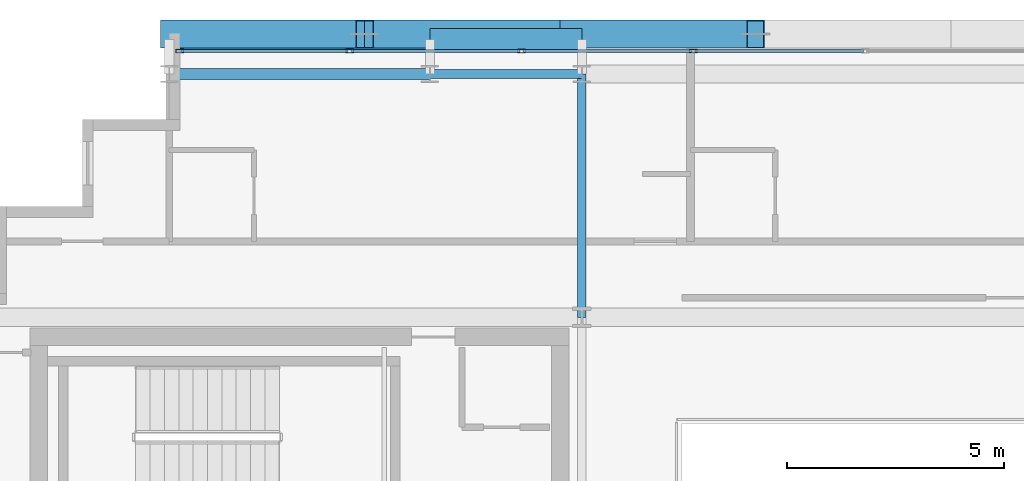
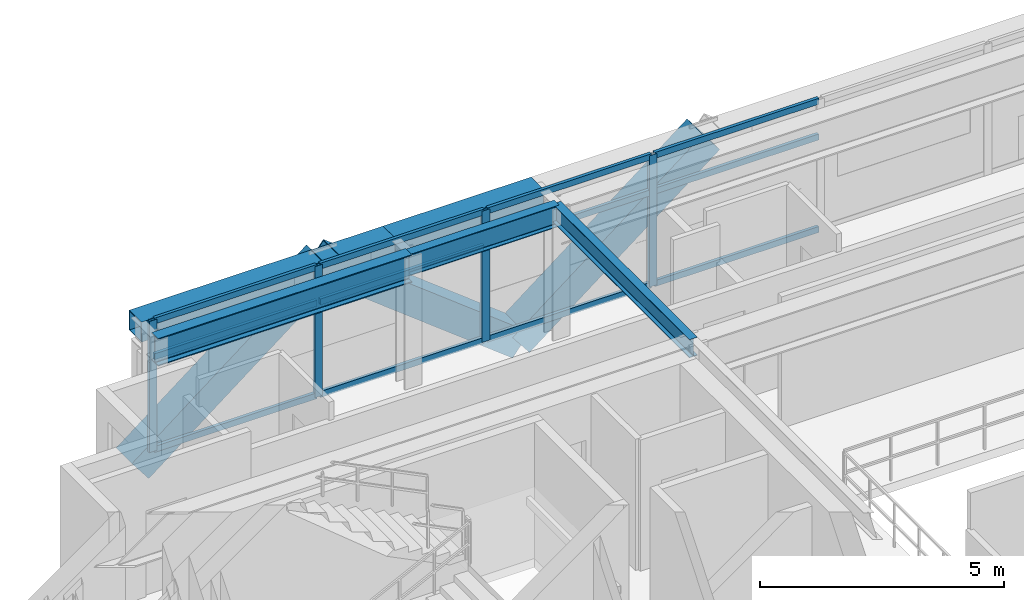
# One storey, part 14 of 28: 19 members, 5 beams, 1 element without a shape of its own.
"""IFC4 building model written with IfcOpenShell, lengths in metres."""

from ifc_helpers import new_model, si_unit, direction, frame, origin, origin_2d, place, context, subcontext, project, spatial, hollow_rectangle, i_section, extrude, source, transform, mapped, material, layer, layer_set, material_profile, profile_set, type_object, element, aggregate, save


model = new_model("IFC4")

# Units and contexts
model_context = context("Model", 3, precision=1e-05, world=origin(), true_north=direction((0.0, 1.0)))
body_context = subcontext(model_context, "Body", "Model", "MODEL_VIEW")
ifc_project = project(units=[si_unit("LENGTHUNIT", "METRE"), si_unit("AREAUNIT", "SQUARE_METRE"), si_unit("VOLUMEUNIT", "CUBIC_METRE"), si_unit("PLANEANGLEUNIT", "RADIAN"), si_unit("MASSUNIT", "GRAM", prefix="KILO")], contexts=[model_context])

# Site, building, storey
site_placement = place(None, origin())
site = spatial("IfcSite", under=ifc_project, at=site_placement, CompositionType="ELEMENT")
building_placement = place(site_placement, origin())
building = spatial("IfcBuilding", under=site, at=building_placement, Name="Ocotamira Hotel", CompositionType="ELEMENT")
storey_placement = place(building_placement, frame((0.0, 0.0, 243.60009765625)))
storey = spatial("IfcBuildingStorey", under=building, at=storey_placement, Name="L61", CompositionType="ELEMENT", Elevation=243.60009765625)

# Beams
ifc_material_1 = material(Name="Steel ASTM A992 Grade 50", Category="steel")
ifc_material_profile_1 = material_profile(ifc_material_1, i_section(OverallWidth=0.256103515625, OverallDepth=0.693115234375, WebThickness=0.014404296875, FlangeThickness=0.023681640625, FilletRadius=0.01611328125, at=origin_2d()), Name="W27X114")
ifc_profile_set_1 = profile_set([ifc_material_profile_1], Name="Steel ASTM A992 Grade 50")
beam_type_1 = type_object("IfcBeamType", Name="BM-PRIM-W27X114", PredefinedType="BEAM", material=ifc_profile_set_1)
shared_shape_1 = source(origin(), body_context, "Body", "SweptSolid", [
    extrude(i_section(OverallWidth=0.256103515625, OverallDepth=0.693115234375, WebThickness=0.014404296875, FlangeThickness=0.023681640625, FilletRadius=0.01611328125, at=origin_2d()), origin(), (0.0, 0.0, 1.0), 6.0),
])
beam_1_placement = place(storey_placement, frame((14.0, 43.050048828125, 2.933349609375), z_axis=(1.0, 0.0, 0.0), x_axis=(0.0, 1.0, 0.0)))
element("IfcBeam", 1, at=beam_1_placement, inside=storey, type_object=beam_type_1, Name="L61 Girder Y43.05 X14-20", PredefinedType="BEAM", context=body_context, shape_type="MappedRepresentation", body=[
    mapped(shared_shape_1, transform((0.0, 0.0, 0.0), scale=1.0)),
])
ifc_material_profile_2 = material_profile(ifc_material_1, i_section(OverallWidth=0.2099609375, OverallDepth=0.537109375, WebThickness=0.010986328125, FlangeThickness=0.017333984375, FilletRadius=0.012939453125, at=origin_2d()), Name="W21X68")
ifc_profile_set_2 = profile_set([ifc_material_profile_2], Name="Steel ASTM A992 Grade 50")
beam_type_2 = type_object("IfcBeamType", Name="BM-SEC-W21X68", PredefinedType="JOIST", material=ifc_profile_set_2)
shared_shape_2 = source(origin(), body_context, "Body", "SweptSolid", [
    extrude(i_section(OverallWidth=0.2099609375, OverallDepth=0.537109375, WebThickness=0.010986328125, FlangeThickness=0.017333984375, FilletRadius=0.012939453125, at=origin_2d()), origin(), (0.0, 0.0, 1.0), 3.5),
])
beam_2_placement = place(storey_placement, frame((20.0, 43.050048828125, 3.011474609375), z_axis=(1.0, 0.0, 0.0), x_axis=(0.0, 1.0, 0.0)))
element("IfcBeam", 2, at=beam_2_placement, inside=storey, type_object=beam_type_2, Name="L61 Girder Y43.05 X20-23.5", PredefinedType="JOIST", context=body_context, shape_type="MappedRepresentation", body=[
    mapped(shared_shape_2, transform((0.0, 0.0, 0.0), scale=1.0)),
])
ifc_material_2 = material(Name="Steel ASTM A500 Grade C", Category="steel")
ifc_material_profile_3 = material_profile(ifc_material_2, hollow_rectangle(XDim=0.5, YDim=0.5, WallThickness=0.02001953125, at=origin_2d()), Name="HSS500X500X20")
ifc_profile_set_3 = profile_set([ifc_material_profile_3], Name="Steel ASTM A500 Grade C")
beam_type_3 = type_object("IfcBeamType", Name="BM-SPAN-HSS500", PredefinedType="USERDEFINED", material=ifc_profile_set_3)
shared_shape_3 = source(origin(), body_context, "Body", "SweptSolid", [
    extrude(hollow_rectangle(XDim=0.5, YDim=0.5, WallThickness=0.02001953125, at=origin_2d()), origin(), (0.0, 0.0, 1.0), 6.0),
])
beam_3_placement = place(storey_placement, frame((14.0, 43.85009765625, 3.02978515625), z_axis=(1.0, 0.0, 0.0), x_axis=(0.0, 1.0, 0.0)))
element("IfcBeam", 3, at=beam_3_placement, inside=storey, type_object=beam_type_3, Name="L61 Edge Spandrel N X14-20", ObjectType="SPANDREL", PredefinedType="USERDEFINED", context=body_context, shape_type="MappedRepresentation", body=[
    mapped(shared_shape_3, transform((0.0, 0.0, 0.0), scale=1.0)),
])
shared_shape_4 = source(origin(), body_context, "Body", "SweptSolid", [
    extrude(hollow_rectangle(XDim=0.5, YDim=0.5, WallThickness=0.02001953125, at=origin_2d()), origin(), (0.0, 0.0, 1.0), 3.5),
])
beam_4_placement = place(storey_placement, frame((20.0, 43.85009765625, 3.02978515625), z_axis=(1.0, 0.0, 0.0), x_axis=(0.0, 1.0, 0.0)))
element("IfcBeam", 4, at=beam_4_placement, inside=storey, type_object=beam_type_3, Name="L61 Edge Spandrel N X20-23.5", ObjectType="SPANDREL", PredefinedType="USERDEFINED", context=body_context, shape_type="MappedRepresentation", body=[
    mapped(shared_shape_4, transform((0.0, 0.0, 0.0), scale=1.0)),
])
ifc_material_profile_4 = material_profile(ifc_material_1, i_section(OverallWidth=0.18994140625, OverallDepth=0.45703125, WebThickness=0.009033203125, FlangeThickness=0.014404296875, FilletRadius=0.010009765625, at=origin_2d()), Name="W18X50")
ifc_profile_set_4 = profile_set([ifc_material_profile_4], Name="Steel ASTM A992 Grade 50")
beam_type_4 = type_object("IfcBeamType", Name="BM-SEC-W18X50", PredefinedType="JOIST", material=ifc_profile_set_4)
shared_shape_5 = source(origin(), body_context, "Body", "SweptSolid", [
    extrude(i_section(OverallWidth=0.18994140625, OverallDepth=0.45703125, WebThickness=0.009033203125, FlangeThickness=0.014404296875, FilletRadius=0.010009765625, at=origin_2d()), origin(), (0.0, 0.0, 1.0), 5.60009765625),
])
beam_5_placement = place(storey_placement, frame((23.5, 37.449951171875, 3.051513671875), z_axis=(0.0, 1.0, 0.0), x_axis=(-1.0, 0.0, 0.0)))
element("IfcBeam", 5, at=beam_5_placement, inside=storey, type_object=beam_type_4, Name="L61 Beam X23.5 Y37.45-43.05", PredefinedType="JOIST", context=body_context, shape_type="MappedRepresentation", body=[
    mapped(shared_shape_5, transform((0.0, 0.0, 0.0), scale=1.0)),
])

# Members
ifc_material_3 = material(Name="Pale-metal coated steel ASTM A913 Grade 65", Category="steel")
ifc_material_profile_5 = material_profile(ifc_material_3, hollow_rectangle(XDim=0.64990234375, YDim=0.64990234375, WallThickness=0.02197265625, at=origin_2d()), Name="BOX650X650X22")
ifc_profile_set_5 = profile_set([ifc_material_profile_5], Name="Pale-metal coated steel ASTM A913 Grade 65")
member_type_1 = type_object("IfcMemberType", Name="MEM-EXO-BOX650", PredefinedType="BRACE", material=ifc_profile_set_5)
shared_shape_6 = source(origin(), body_context, "Body", "SweptSolid", [
    extrude(hollow_rectangle(XDim=0.64990234375, YDim=0.64990234375, WallThickness=0.02197265625, at=origin_2d()), origin(), (0.0, 0.0, 1.0), 5.700927734375),
])
for number, where, z_axis, x_axis, name in (
    (6, (14.0, 43.969970703125, -0.47021484375), (0.789352217376, 0.0, 0.613940613515), (0.0, 1.0, 0.0), "L61 Exoskeleton Diagrid N0.1"),
    (7, (23.0, 43.969970703125, -0.47021484375), (-0.789352217376, 0.0, 0.613940613515), (0.0, -1.0, 0.0), "L61 Exoskeleton Diagrid N0.2"),
    (8, (23.0, 43.969970703125, -0.47021484375), (0.789352217376, 0.0, 0.613940613515), (0.0, 1.0, 0.0), "L61 Exoskeleton Diagrid N1.1"),
):
    element("IfcMember", number, at=place(storey_placement, frame(where, z_axis=z_axis, x_axis=x_axis)), inside=storey, type_object=member_type_1, Name=name, PredefinedType="BRACE", context=body_context, shape_type="MappedRepresentation", body=[
        mapped(shared_shape_6, transform((0.0, 0.0, 0.0), scale=1.0)),
    ])

# Curtain wall, members
ifc_material_4 = material(Name="Anodised pale-metal aluminium and solar glass", Category="aluminium")
ifc_layer = layer(ifc_material_4, 0.239990234375)
ifc_layer_set = layer_set([ifc_layer], Name="Anodised pale-metal aluminium and solar glass")
curtain_wall_type = type_object("IfcCurtainWallType", Name="CW-SYS5-SKY", PredefinedType="NOTDEFINED", material=ifc_layer_set)
curtain_wall_placement = place(storey_placement, origin())
curtain_wall = element("IfcCurtainWall", 9, at=curtain_wall_placement, inside=storey, type_object=curtain_wall_type, Name="L61 Curtain Wall CW-5 CW-L61-N", PredefinedType="NOTDEFINED")
ifc_material_5 = material(Name="Anodised pale-metal aluminium 6063-T6", Category="aluminium")
ifc_material_profile_6 = material_profile(ifc_material_5, hollow_rectangle(XDim=0.074951171875, YDim=0.14990234375, WallThickness=0.006103515625, at=origin_2d()), Name="HSS150X75X6")
ifc_profile_set_6 = profile_set([ifc_material_profile_6], Name="Anodised pale-metal aluminium 6063-T6")
member_type_2 = type_object("IfcMemberType", Name="CWT-150X75", PredefinedType="USERDEFINED", material=ifc_profile_set_6)
shared_shape_7 = source(origin(), body_context, "Body", "SweptSolid", [
    extrude(hollow_rectangle(XDim=0.074951171875, YDim=0.14990234375, WallThickness=0.006103515625, at=origin_2d()), origin(), (0.0, 0.0, 1.0), 3.83544921875),
])
member_1_placement = place(storey_placement, frame((14.280029296875, 43.580078125, 0.037353515625), z_axis=(1.0, 0.0, 0.0), x_axis=(0.0, 1.0, 0.0)))
member_1 = element("IfcMember", 10, at=member_1_placement, type_object=member_type_2, Name="CW-5 transom 1.1", ObjectType="TRANSOM", PredefinedType="USERDEFINED", context=body_context, shape_type="MappedRepresentation", body=[
    mapped(shared_shape_7, transform((0.0, 0.0, 0.0), scale=1.0)),
])
member_2_placement = place(storey_placement, frame((14.280029296875, 43.580078125, 2.349853515625), z_axis=(1.0, 0.0, 0.0), x_axis=(0.0, 1.0, 0.0)))
member_2 = element("IfcMember", 11, at=member_2_placement, type_object=member_type_2, Name="CW-5 transom 1.2", ObjectType="TRANSOM", PredefinedType="USERDEFINED", context=body_context, shape_type="MappedRepresentation", body=[
    mapped(shared_shape_7, transform((0.0, 0.0, 0.0), scale=1.0)),
])
member_3_placement = place(storey_placement, frame((14.280029296875, 43.580078125, 3.242431640625), z_axis=(1.0, 0.0, 0.0), x_axis=(0.0, 1.0, 0.0)))
member_3 = element("IfcMember", 12, at=member_3_placement, type_object=member_type_2, Name="CW-5 transom 1.3", ObjectType="TRANSOM", PredefinedType="USERDEFINED", context=body_context, shape_type="MappedRepresentation", body=[
    mapped(shared_shape_7, transform((0.0, 0.0, 0.0), scale=1.0)),
])
shared_shape_8 = source(origin(), body_context, "Body", "SweptSolid", [
    extrude(hollow_rectangle(XDim=0.074951171875, YDim=0.14990234375, WallThickness=0.006103515625, at=origin_2d()), origin(), (0.0, 0.0, 1.0), 3.87548828125),
])
member_4_placement = place(storey_placement, frame((18.195556640625, 43.580078125, 0.037353515625), z_axis=(1.0, 0.0, 0.0), x_axis=(0.0, 1.0, 0.0)))
member_4 = element("IfcMember", 13, at=member_4_placement, type_object=member_type_2, Name="CW-5 transom 2.1", ObjectType="TRANSOM", PredefinedType="USERDEFINED", context=body_context, shape_type="MappedRepresentation", body=[
    mapped(shared_shape_8, transform((0.0, 0.0, 0.0), scale=1.0)),
])
member_5_placement = place(storey_placement, frame((18.195556640625, 43.580078125, 2.349853515625), z_axis=(1.0, 0.0, 0.0), x_axis=(0.0, 1.0, 0.0)))
member_5 = element("IfcMember", 14, at=member_5_placement, type_object=member_type_2, Name="CW-5 transom 2.2", ObjectType="TRANSOM", PredefinedType="USERDEFINED", context=body_context, shape_type="MappedRepresentation", body=[
    mapped(shared_shape_8, transform((0.0, 0.0, 0.0), scale=1.0)),
])
member_6_placement = place(storey_placement, frame((18.195556640625, 43.580078125, 3.242431640625), z_axis=(1.0, 0.0, 0.0), x_axis=(0.0, 1.0, 0.0)))
member_6 = element("IfcMember", 15, at=member_6_placement, type_object=member_type_2, Name="CW-5 transom 2.3", ObjectType="TRANSOM", PredefinedType="USERDEFINED", context=body_context, shape_type="MappedRepresentation", body=[
    mapped(shared_shape_8, transform((0.0, 0.0, 0.0), scale=1.0)),
])
member_7_placement = place(storey_placement, frame((22.151123046875, 43.580078125, 0.037353515625), z_axis=(1.0, 0.0, 0.0), x_axis=(0.0, 1.0, 0.0)))
member_7 = element("IfcMember", 16, at=member_7_placement, type_object=member_type_2, Name="CW-5 transom 3.1", ObjectType="TRANSOM", PredefinedType="USERDEFINED", context=body_context, shape_type="MappedRepresentation", body=[
    mapped(shared_shape_8, transform((0.0, 0.0, 0.0), scale=1.0)),
])
member_8_placement = place(storey_placement, frame((22.151123046875, 43.580078125, 2.349853515625), z_axis=(1.0, 0.0, 0.0), x_axis=(0.0, 1.0, 0.0)))
member_8 = element("IfcMember", 17, at=member_8_placement, type_object=member_type_2, Name="CW-5 transom 3.2", ObjectType="TRANSOM", PredefinedType="USERDEFINED", context=body_context, shape_type="MappedRepresentation", body=[
    mapped(shared_shape_8, transform((0.0, 0.0, 0.0), scale=1.0)),
])
member_9_placement = place(storey_placement, frame((22.151123046875, 43.580078125, 3.242431640625), z_axis=(1.0, 0.0, 0.0), x_axis=(0.0, 1.0, 0.0)))
member_9 = element("IfcMember", 18, at=member_9_placement, type_object=member_type_2, Name="CW-5 transom 3.3", ObjectType="TRANSOM", PredefinedType="USERDEFINED", context=body_context, shape_type="MappedRepresentation", body=[
    mapped(shared_shape_8, transform((0.0, 0.0, 0.0), scale=1.0)),
])
member_10_placement = place(storey_placement, frame((26.106689453125, 43.580078125, 0.037353515625), z_axis=(1.0, 0.0, 0.0), x_axis=(0.0, 1.0, 0.0)))
member_10 = element("IfcMember", 19, at=member_10_placement, type_object=member_type_2, Name="CW-5 transom 4.1", ObjectType="TRANSOM", PredefinedType="USERDEFINED", context=body_context, shape_type="MappedRepresentation", body=[
    mapped(shared_shape_8, transform((0.0, 0.0, 0.0), scale=1.0)),
])
member_11_placement = place(storey_placement, frame((26.106689453125, 43.580078125, 2.349853515625), z_axis=(1.0, 0.0, 0.0), x_axis=(0.0, 1.0, 0.0)))
member_11 = element("IfcMember", 20, at=member_11_placement, type_object=member_type_2, Name="CW-5 transom 4.2", ObjectType="TRANSOM", PredefinedType="USERDEFINED", context=body_context, shape_type="MappedRepresentation", body=[
    mapped(shared_shape_8, transform((0.0, 0.0, 0.0), scale=1.0)),
])
member_12_placement = place(storey_placement, frame((26.106689453125, 43.580078125, 3.242431640625), z_axis=(1.0, 0.0, 0.0), x_axis=(0.0, 1.0, 0.0)))
member_12 = element("IfcMember", 21, at=member_12_placement, type_object=member_type_2, Name="CW-5 transom 4.3", ObjectType="TRANSOM", PredefinedType="USERDEFINED", context=body_context, shape_type="MappedRepresentation", body=[
    mapped(shared_shape_8, transform((0.0, 0.0, 0.0), scale=1.0)),
])
ifc_material_profile_7 = material_profile(ifc_material_5, hollow_rectangle(XDim=0.080078125, YDim=0.179931640625, WallThickness=0.006103515625, at=origin_2d()), Name="HSS180X80X6")
ifc_profile_set_7 = profile_set([ifc_material_profile_7], Name="Anodised pale-metal aluminium 6063-T6")
member_type_3 = type_object("IfcMemberType", Name="CWM-180X75", PredefinedType="MULLION", material=ifc_profile_set_7)
shared_shape_9 = source(origin(), body_context, "Body", "SweptSolid", [
    extrude(hollow_rectangle(XDim=0.080078125, YDim=0.179931640625, WallThickness=0.006103515625, at=origin_2d()), origin(), (0.0, 0.0, 1.0), 3.27978515625),
])
member_13_placement = place(storey_placement, frame((14.239990234375, 43.580078125, 0.0), z_axis=(0.0, 0.0, 1.0), x_axis=(0.0, 1.0, 0.0)))
member_13 = element("IfcMember", 22, at=member_13_placement, type_object=member_type_3, Name="CW-5 mullion 1", PredefinedType="MULLION", context=body_context, shape_type="MappedRepresentation", body=[
    mapped(shared_shape_9, transform((0.0, 0.0, 0.0), scale=1.0)),
])
member_14_placement = place(storey_placement, frame((18.155517578125, 43.580078125, 0.0), z_axis=(0.0, 0.0, 1.0), x_axis=(0.0, 1.0, 0.0)))
member_14 = element("IfcMember", 23, at=member_14_placement, type_object=member_type_3, Name="CW-5 mullion 2", PredefinedType="MULLION", context=body_context, shape_type="MappedRepresentation", body=[
    mapped(shared_shape_9, transform((0.0, 0.0, 0.0), scale=1.0)),
])
member_15_placement = place(storey_placement, frame((22.111083984375, 43.580078125, 0.0), z_axis=(0.0, 0.0, 1.0), x_axis=(0.0, 1.0, 0.0)))
member_15 = element("IfcMember", 24, at=member_15_placement, type_object=member_type_3, Name="CW-5 mullion 3", PredefinedType="MULLION", context=body_context, shape_type="MappedRepresentation", body=[
    mapped(shared_shape_9, transform((0.0, 0.0, 0.0), scale=1.0)),
])
member_16_placement = place(storey_placement, frame((26.066650390625, 43.580078125, 0.0), z_axis=(0.0, 0.0, 1.0), x_axis=(0.0, 1.0, 0.0)))
member_16 = element("IfcMember", 25, at=member_16_placement, type_object=member_type_3, Name="CW-5 mullion 4", PredefinedType="MULLION", context=body_context, shape_type="MappedRepresentation", body=[
    mapped(shared_shape_9, transform((0.0, 0.0, 0.0), scale=1.0)),
])
aggregate(curtain_wall, [member_13, member_14, member_15, member_16, member_1, member_2, member_3, member_4, member_5, member_6, member_7, member_8, member_9, member_10, member_11, member_12])

save(model, "model.ifc")
